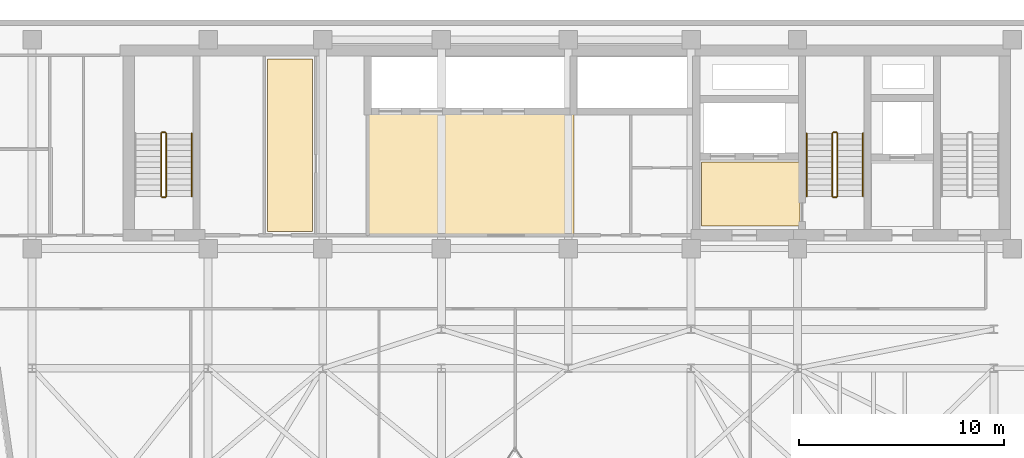
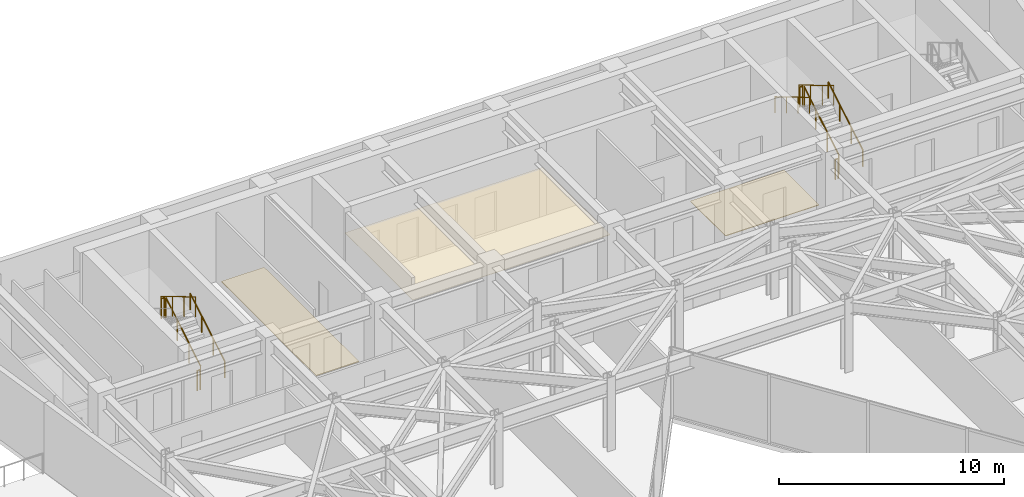
# One storey, part 20 of 21: 11 railings, 3 coverings.
"""IFC4 building model written with IfcOpenShell, lengths in metres."""

from ifc_helpers import new_model, si_unit, direction, frame, origin, origin_2d, place, context, subcontext, project, spatial, polyline, circle, outline, extrude, material, layer, layer_set, type_object, element, save


model = new_model("IFC4")

# Units and contexts
model_context = context("Model", 3, precision=1e-05, world=origin(), true_north=direction((0.0, 1.0)))
body_context = subcontext(model_context, "Body", "Model", "MODEL_VIEW")
ifc_project = project(units=[si_unit("LENGTHUNIT", "METRE"), si_unit("AREAUNIT", "SQUARE_METRE"), si_unit("VOLUMEUNIT", "CUBIC_METRE"), si_unit("PLANEANGLEUNIT", "RADIAN"), si_unit("MASSUNIT", "GRAM", prefix="KILO")], contexts=[model_context])

# Site, building, storey
site_placement = place(None, origin())
site = spatial("IfcSite", under=ifc_project, at=site_placement, CompositionType="ELEMENT")
building_placement = place(site_placement, origin())
building = spatial("IfcBuilding", under=site, at=building_placement, Name="Kravanh Interchange Tower", CompositionType="ELEMENT")
storey_placement = place(building_placement, frame((0.0, 0.0, 160.5)))
storey = spatial("IfcBuildingStorey", under=building, at=storey_placement, Name="L38", CompositionType="ELEMENT", Elevation=160.5)

# Coverings
ifc_material_1 = material(Name="Cementitious Terrazzo Tile")
ifc_layer_1 = layer(ifc_material_1, 0.030029296875)
ifc_layer_set_1 = layer_set([ifc_layer_1], Name="Honed Terrazzo Lobby Flooring 30mm")
covering_type_1 = type_object("IfcCoveringType", Name="Honed Terrazzo Lobby Flooring 30mm", PredefinedType="FLOORING", material=ifc_layer_set_1)
covering_1_placement = place(storey_placement, origin())
element("IfcCovering", 1, at=covering_1_placement, inside=storey, type_object=covering_type_1, Name="L38 Firefighting Lobby Floor Finish", PredefinedType="FLOORING", context=body_context, shape_type="SweptSolid", body=[
    extrude(outline(polyline([(56.1201171875, 38.4599609375), (51.300048828125, 38.4599609375), (51.300048828125, 41.580078125), (56.1201171875, 41.580078125), (56.1201171875, 38.4599609375)])), origin(), (0.0, 0.0, 1.0), 0.030029296875),
])
covering_2_placement = place(storey_placement, origin())
element("IfcCovering", 2, at=covering_2_placement, inside=storey, type_object=covering_type_1, Name="L38 First Aid and Lactation Room Floor Finish", PredefinedType="FLOORING", context=body_context, shape_type="SweptSolid", body=[
    extrude(outline(polyline([(30.10009765625, 46.6201171875), (32.300048828125, 46.6201171875), (32.300048828125, 38.179931640625), (30.10009765625, 38.179931640625), (30.10009765625, 46.6201171875)])), origin(), (0.0, 0.0, 1.0), 0.030029296875),
])
ifc_material_2 = material(Name="Acoustic Mineral Fibre Tile on Aluminium Grid", Category="aluminium")
ifc_layer_2 = layer(ifc_material_2, 0.02490234375)
ifc_layer_set_2 = layer_set([ifc_layer_2], Name="Perforated Acoustic Mineral Ceiling 25mm")
covering_type_2 = type_object("IfcCoveringType", Name="Perforated Acoustic Mineral Ceiling 25mm", PredefinedType="CEILING", material=ifc_layer_set_2)
covering_3_placement = place(storey_placement, frame((0.0, 0.0, 2.550048828125)))
element("IfcCovering", 3, at=covering_3_placement, inside=storey, type_object=covering_type_2, Name="L38 Mid-Rise Lift Lobby Suspended Ceiling", PredefinedType="CEILING", context=body_context, shape_type="SweptSolid", body=[
    extrude(outline(polyline([(45.090087890625, 37.9599609375), (34.93994140625, 37.9599609375), (34.93994140625, 43.989990234375), (45.090087890625, 43.989990234375), (45.090087890625, 37.9599609375)])), origin(), (0.0, 0.0, 1.0), 0.02490234375),
])

# Railings
ifc_material_3 = material(Name="Structural Steel S355", Category="steel")
ifc_layer_3 = layer(ifc_material_3, 0.050048828125)
ifc_layer_set_3 = layer_set([ifc_layer_3], Name="Stair Well Guardrail Structural Steel S355 1100mm")
railing_type_1 = type_object("IfcRailingType", Name="Stair Well Guardrail Structural Steel S355 1100mm", PredefinedType="GUARDRAIL", material=ifc_layer_set_3)
railing_1_placement = place(storey_placement, frame((57.949951171875, 39.89990234375, 0.166748046875)))
element("IfcRailing", 4, at=railing_1_placement, inside=storey, type_object=railing_type_1, Name="L38 ST2 stair guard 1", PredefinedType="GUARDRAIL", context=body_context, shape_type="SweptSolid", body=[
    extrude(circle(Radius=0.02392578125, at=origin_2d()), frame((0.0, 0.0, 1.076171875), z_axis=(0.0, 0.859308565015, 0.511457515432), x_axis=(-1.0, 0.0, 0.0)), (0.0, 0.0, 1.0), 3.58447265625),
    extrude(circle(Radius=0.02099609375, at=origin_2d()), origin(), (0.0, 0.0, 1.0), 1.052001953125),
    extrude(circle(Radius=0.02099609375, at=origin_2d()), frame((0.0, 1.026611328125, 0.611083984375)), (0.0, 0.0, 1.0), 1.052001953125),
    extrude(circle(Radius=0.02099609375, at=origin_2d()), frame((0.0, 2.053466796875, 1.22216796875)), (0.0, 0.0, 1.0), 1.052001953125),
    extrude(circle(Radius=0.02099609375, at=origin_2d()), frame((0.0, 3.080078125, 1.833251953125)), (0.0, 0.0, 1.0), 1.052001953125),
])
railing_2_placement = place(storey_placement, frame((57.89990234375, 43.030029296875, 2.0)))
element("IfcRailing", 5, at=railing_2_placement, inside=storey, type_object=railing_type_1, Name="L38 ST2 stair guard 2", PredefinedType="GUARDRAIL", context=body_context, shape_type="SweptSolid", body=[
    extrude(circle(Radius=0.02392578125, at=origin_2d()), frame((0.0, 0.0, 1.076171875), z_axis=(-1.0, 0.0, 0.0), x_axis=(0.0, -1.0, 0.0)), (0.0, 0.0, 1.0), 0.14990234375),
    extrude(circle(Radius=0.02099609375, at=origin_2d()), origin(), (0.0, 0.0, 1.0), 1.052001953125),
    extrude(circle(Radius=0.02099609375, at=origin_2d()), frame((-0.14990234375, 0.0, 0.0)), (0.0, 0.0, 1.0), 1.052001953125),
])
railing_3_placement = place(storey_placement, frame((57.699951171875, 42.97998046875, 2.166748046875)))
element("IfcRailing", 6, at=railing_3_placement, inside=storey, type_object=railing_type_1, Name="L38 ST2 stair guard 3", PredefinedType="GUARDRAIL", context=body_context, shape_type="SweptSolid", body=[
    extrude(circle(Radius=0.02392578125, at=origin_2d()), frame((0.0, 0.0, 1.076171875), z_axis=(0.0, -0.859308565015, 0.511457515432), x_axis=(1.0, 0.0, 0.0)), (0.0, 0.0, 1.0), 3.58447265625),
    extrude(circle(Radius=0.02099609375, at=origin_2d()), origin(), (0.0, 0.0, 1.0), 1.052001953125),
    extrude(circle(Radius=0.02099609375, at=origin_2d()), frame((0.0, -1.026611328125, 0.611083984375)), (0.0, 0.0, 1.0), 1.052001953125),
    extrude(circle(Radius=0.02099609375, at=origin_2d()), frame((0.0, -2.053466796875, 1.22216796875)), (0.0, 0.0, 1.0), 1.052001953125),
    extrude(circle(Radius=0.02099609375, at=origin_2d()), frame((0.0, -3.080078125, 1.833251953125)), (0.0, 0.0, 1.0), 1.052001953125),
])
railing_4_placement = place(storey_placement, frame((57.89990234375, 39.85009765625, 0.0)))
element("IfcRailing", 7, at=railing_4_placement, inside=storey, type_object=railing_type_1, Name="L38 ST2 stair guard 4", PredefinedType="GUARDRAIL", context=body_context, shape_type="SweptSolid", body=[
    extrude(circle(Radius=0.02392578125, at=origin_2d()), frame((0.0, 0.0, 1.076171875), z_axis=(-1.0, 0.0, 0.0), x_axis=(0.0, -1.0, 0.0)), (0.0, 0.0, 1.0), 0.14990234375),
    extrude(circle(Radius=0.02099609375, at=origin_2d()), origin(), (0.0, 0.0, 1.0), 1.052001953125),
    extrude(circle(Radius=0.02099609375, at=origin_2d()), frame((-0.14990234375, 0.0, 0.0)), (0.0, 0.0, 1.0), 1.052001953125),
])
railing_5_placement = place(storey_placement, frame((25.14990234375, 39.89990234375, 0.166748046875)))
element("IfcRailing", 8, at=railing_5_placement, inside=storey, type_object=railing_type_1, Name="L38 ST3 stair guard 1", PredefinedType="GUARDRAIL", context=body_context, shape_type="SweptSolid", body=[
    extrude(circle(Radius=0.02392578125, at=origin_2d()), frame((0.0, 0.0, 1.076171875), z_axis=(0.0, 0.859308565015, 0.511457515432), x_axis=(-1.0, 0.0, 0.0)), (0.0, 0.0, 1.0), 3.58447265625),
    extrude(circle(Radius=0.02099609375, at=origin_2d()), origin(), (0.0, 0.0, 1.0), 1.052001953125),
    extrude(circle(Radius=0.02099609375, at=origin_2d()), frame((0.0, 1.026611328125, 0.611083984375)), (0.0, 0.0, 1.0), 1.052001953125),
    extrude(circle(Radius=0.02099609375, at=origin_2d()), frame((0.0, 2.053466796875, 1.22216796875)), (0.0, 0.0, 1.0), 1.052001953125),
    extrude(circle(Radius=0.02099609375, at=origin_2d()), frame((0.0, 3.080078125, 1.833251953125)), (0.0, 0.0, 1.0), 1.052001953125),
])
railing_6_placement = place(storey_placement, frame((25.10009765625, 43.030029296875, 2.0)))
element("IfcRailing", 9, at=railing_6_placement, inside=storey, type_object=railing_type_1, Name="L38 ST3 stair guard 2", PredefinedType="GUARDRAIL", context=body_context, shape_type="SweptSolid", body=[
    extrude(circle(Radius=0.02392578125, at=origin_2d()), frame((0.0, 0.0, 1.076171875), z_axis=(-1.0, 0.0, 0.0), x_axis=(0.0, -1.0, 0.0)), (0.0, 0.0, 1.0), 0.150146484375),
    extrude(circle(Radius=0.02099609375, at=origin_2d()), origin(), (0.0, 0.0, 1.0), 1.052001953125),
    extrude(circle(Radius=0.02099609375, at=origin_2d()), frame((-0.150146484375, 0.0, 0.0)), (0.0, 0.0, 1.0), 1.052001953125),
])
railing_7_placement = place(storey_placement, frame((24.89990234375, 42.97998046875, 2.166748046875)))
element("IfcRailing", 10, at=railing_7_placement, inside=storey, type_object=railing_type_1, Name="L38 ST3 stair guard 3", PredefinedType="GUARDRAIL", context=body_context, shape_type="SweptSolid", body=[
    extrude(circle(Radius=0.02392578125, at=origin_2d()), frame((0.0, 0.0, 1.076171875), z_axis=(0.0, -0.859308565015, 0.511457515432), x_axis=(1.0, 0.0, 0.0)), (0.0, 0.0, 1.0), 3.58447265625),
    extrude(circle(Radius=0.02099609375, at=origin_2d()), origin(), (0.0, 0.0, 1.0), 1.052001953125),
    extrude(circle(Radius=0.02099609375, at=origin_2d()), frame((0.0, -1.026611328125, 0.611083984375)), (0.0, 0.0, 1.0), 1.052001953125),
    extrude(circle(Radius=0.02099609375, at=origin_2d()), frame((0.0, -2.053466796875, 1.22216796875)), (0.0, 0.0, 1.0), 1.052001953125),
    extrude(circle(Radius=0.02099609375, at=origin_2d()), frame((0.0, -3.080078125, 1.833251953125)), (0.0, 0.0, 1.0), 1.052001953125),
])
railing_8_placement = place(storey_placement, frame((25.10009765625, 39.85009765625, 0.0)))
element("IfcRailing", 11, at=railing_8_placement, inside=storey, type_object=railing_type_1, Name="L38 ST3 stair guard 4", PredefinedType="GUARDRAIL", context=body_context, shape_type="SweptSolid", body=[
    extrude(circle(Radius=0.02392578125, at=origin_2d()), frame((0.0, 0.0, 1.076171875), z_axis=(-1.0, 0.0, 0.0), x_axis=(0.0, -1.0, 0.0)), (0.0, 0.0, 1.0), 0.150146484375),
    extrude(circle(Radius=0.02099609375, at=origin_2d()), origin(), (0.0, 0.0, 1.0), 1.052001953125),
    extrude(circle(Radius=0.02099609375, at=origin_2d()), frame((-0.150146484375, 0.0, 0.0)), (0.0, 0.0, 1.0), 1.052001953125),
])
ifc_material_4 = material(Name="Stainless Steel 304", Category="steel")
ifc_layer_4 = layer(ifc_material_4, 0.044921875)
ifc_layer_set_4 = layer_set([ifc_layer_4], Name="Tubular Stair Handrail Stainless 304 900mm")
railing_type_2 = type_object("IfcRailingType", Name="Tubular Stair Handrail Stainless 304 900mm", PredefinedType="HANDRAIL", material=ifc_layer_set_4)
railing_9_placement = place(storey_placement, frame((59.199951171875, 39.89990234375, 0.166748046875)))
element("IfcRailing", 12, at=railing_9_placement, inside=storey, type_object=railing_type_2, Name="L38 ST2 stair handrail 1", PredefinedType="HANDRAIL", context=body_context, shape_type="SweptSolid", body=[
    extrude(circle(Radius=0.02392578125, at=origin_2d()), frame((0.0, 0.0, 0.8759765625), z_axis=(0.0, 0.859308565015, 0.511457515432), x_axis=(-1.0, 0.0, 0.0)), (0.0, 0.0, 1.0), 3.58447265625),
    extrude(circle(Radius=0.02099609375, at=origin_2d()), origin(), (0.0, 0.0, 1.0), 0.851806640625),
    extrude(circle(Radius=0.02099609375, at=origin_2d()), frame((0.0, 1.026611328125, 0.611083984375)), (0.0, 0.0, 1.0), 0.851806640625),
    extrude(circle(Radius=0.02099609375, at=origin_2d()), frame((0.0, 2.053466796875, 1.22216796875)), (0.0, 0.0, 1.0), 0.851806640625),
    extrude(circle(Radius=0.02099609375, at=origin_2d()), frame((0.0, 3.080078125, 1.833251953125)), (0.0, 0.0, 1.0), 0.851806640625),
])
railing_10_placement = place(storey_placement, frame((56.449951171875, 42.97998046875, 2.166748046875)))
element("IfcRailing", 13, at=railing_10_placement, inside=storey, type_object=railing_type_2, Name="L38 ST2 stair handrail 2", PredefinedType="HANDRAIL", context=body_context, shape_type="SweptSolid", body=[
    extrude(circle(Radius=0.02392578125, at=origin_2d()), frame((0.0, 0.0, 0.8759765625), z_axis=(0.0, -0.859308565015, 0.511457515432), x_axis=(1.0, 0.0, 0.0)), (0.0, 0.0, 1.0), 3.58447265625),
    extrude(circle(Radius=0.02099609375, at=origin_2d()), origin(), (0.0, 0.0, 1.0), 0.851806640625),
    extrude(circle(Radius=0.02099609375, at=origin_2d()), frame((0.0, -1.026611328125, 0.611083984375)), (0.0, 0.0, 1.0), 0.851806640625),
    extrude(circle(Radius=0.02099609375, at=origin_2d()), frame((0.0, -2.053466796875, 1.22216796875)), (0.0, 0.0, 1.0), 0.851806640625),
    extrude(circle(Radius=0.02099609375, at=origin_2d()), frame((0.0, -3.080078125, 1.833251953125)), (0.0, 0.0, 1.0), 0.851806640625),
])
railing_11_placement = place(storey_placement, frame((26.39990234375, 39.89990234375, 0.166748046875)))
element("IfcRailing", 14, at=railing_11_placement, inside=storey, type_object=railing_type_2, Name="L38 ST3 stair handrail 1", PredefinedType="HANDRAIL", context=body_context, shape_type="SweptSolid", body=[
    extrude(circle(Radius=0.02392578125, at=origin_2d()), frame((0.0, 0.0, 0.8759765625), z_axis=(0.0, 0.859308565015, 0.511457515432), x_axis=(-1.0, 0.0, 0.0)), (0.0, 0.0, 1.0), 3.58447265625),
    extrude(circle(Radius=0.02099609375, at=origin_2d()), origin(), (0.0, 0.0, 1.0), 0.851806640625),
    extrude(circle(Radius=0.02099609375, at=origin_2d()), frame((0.0, 1.026611328125, 0.611083984375)), (0.0, 0.0, 1.0), 0.851806640625),
    extrude(circle(Radius=0.02099609375, at=origin_2d()), frame((0.0, 2.053466796875, 1.22216796875)), (0.0, 0.0, 1.0), 0.851806640625),
    extrude(circle(Radius=0.02099609375, at=origin_2d()), frame((0.0, 3.080078125, 1.833251953125)), (0.0, 0.0, 1.0), 0.851806640625),
])

save(model, "model.ifc")
